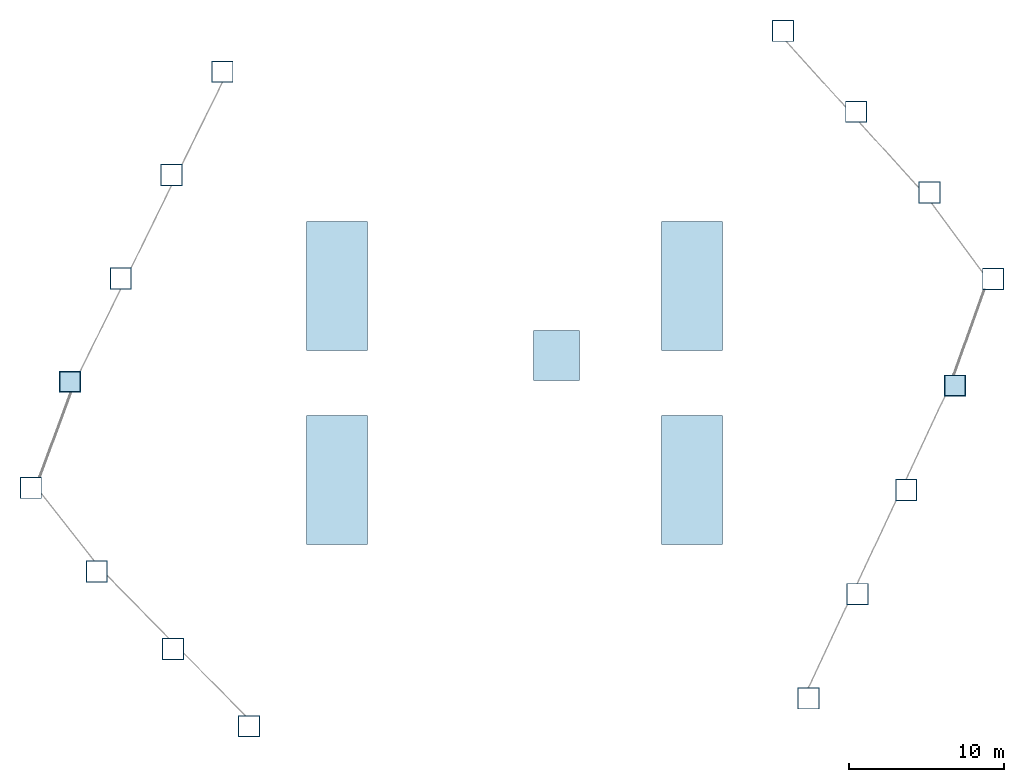
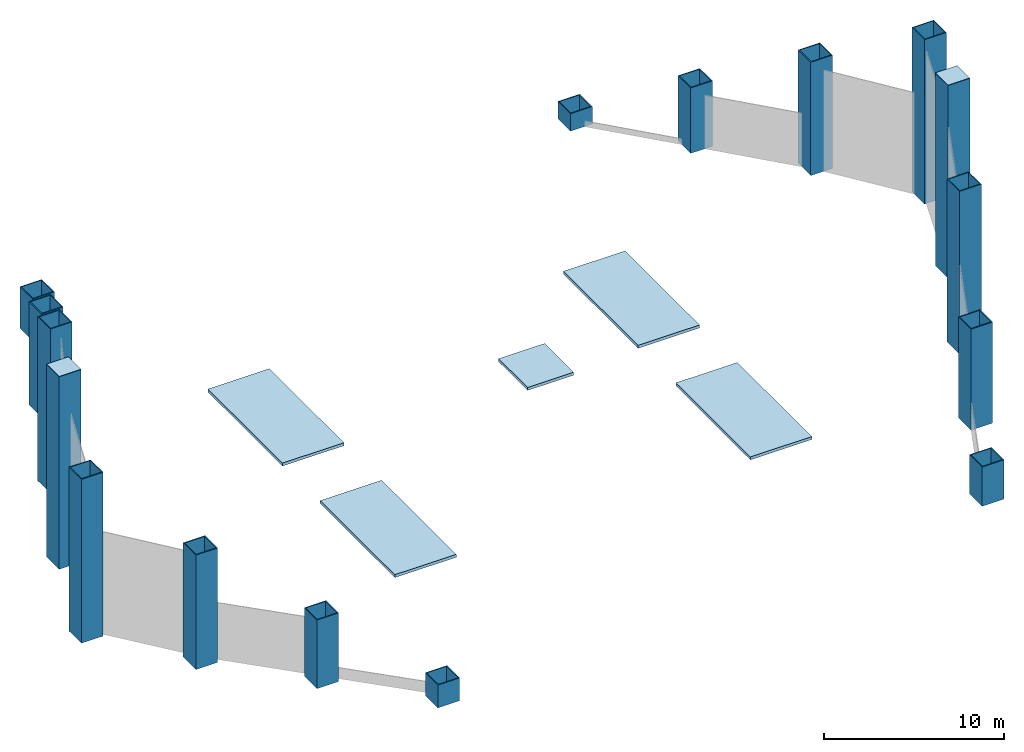
# One storey, part 1 of 2: 16 columns, 5 slabs, 2 plates.
"""IFC4 building model written with IfcOpenShell, lengths in metres."""

from ifc_helpers import new_model, si_unit, direction, frame, origin, origin_2d, place, context, subcontext, project, spatial, polyline, rectangle, hollow_rectangle, outline, extrude, material, layer, layer_set, material_profile, profile_set, type_object, element, save


model = new_model("IFC4")

# Units and contexts
model_context = context("Model", 3, precision=1e-05, world=origin(), true_north=direction((0.0, 1.0)))
body_context = subcontext(model_context, "Body", "Model", "MODEL_VIEW")
ifc_project = project(units=[si_unit("LENGTHUNIT", "METRE"), si_unit("AREAUNIT", "SQUARE_METRE"), si_unit("VOLUMEUNIT", "CUBIC_METRE"), si_unit("PLANEANGLEUNIT", "RADIAN"), si_unit("MASSUNIT", "GRAM", prefix="KILO")], contexts=[model_context])

# Site, building, storey
site_placement = place(None, origin())
site = spatial("IfcSite", under=ifc_project, at=site_placement, CompositionType="ELEMENT")
building_placement = place(site_placement, origin())
building = spatial("IfcBuilding", under=site, at=building_placement, Name="Dongbaek Canopy Tower", CompositionType="ELEMENT")
storey_placement = place(building_placement, frame((0.0, 0.0, 378.699951171875)))
storey = spatial("IfcBuildingStorey", under=building, at=storey_placement, Name="Upper roof", CompositionType="ELEMENT", Elevation=378.699951171875)

# Columns
ifc_material_1 = material(Name="Steel S355", Category="steel")
ifc_material_profile_1 = material_profile(ifc_material_1, hollow_rectangle(XDim=1.39990234375, YDim=1.39990234375, WallThickness=0.06005859375, at=origin_2d()), Name="COLUMN BOX 1400x1400x60 Steel S355")
ifc_profile_set_1 = profile_set([ifc_material_profile_1], Name="Steel S355")
column_type = type_object("IfcColumnType", Name="COLUMN BOX 1400x1400x60 Steel S355", PredefinedType="COLUMN", material=ifc_profile_set_1)
column_1_placement = place(storey_placement, frame((-31.12890625, -6.7451171875, 0.0), z_axis=(0.0, 0.0, 1.0), x_axis=(1.0, 0.0, 0.0)))
element("IfcColumn", 1, at=column_1_placement, inside=storey, type_object=column_type, Name="CANOPYCOL:CCN-09:Upper roof", PredefinedType="COLUMN", context=body_context, shape_type="SweptSolid", body=[
    extrude(hollow_rectangle(XDim=1.39990234375, YDim=1.39990234375, WallThickness=0.06005859375, at=origin_2d()), origin(), (0.0, 0.0, 1.0), 11.136962890625),
])
column_2_placement = place(storey_placement, frame((-26.888916015625, -12.134033203125, 0.0), z_axis=(0.0, 0.0, 1.0), x_axis=(1.0, 0.0, 0.0)))
element("IfcColumn", 2, at=column_2_placement, inside=storey, type_object=column_type, Name="CANOPYCOL:CCN-08:Upper roof", PredefinedType="COLUMN", context=body_context, shape_type="SweptSolid", body=[
    extrude(hollow_rectangle(XDim=1.39990234375, YDim=1.39990234375, WallThickness=0.06005859375, at=origin_2d()), origin(), (0.0, 0.0, 1.0), 7.76953125),
])
column_3_placement = place(storey_placement, frame((-21.986083984375, -17.112060546875, 0.0), z_axis=(0.0, 0.0, 1.0), x_axis=(1.0, 0.0, 0.0)))
element("IfcColumn", 3, at=column_3_placement, inside=storey, type_object=column_type, Name="CANOPYCOL:CCN-07:Upper roof", PredefinedType="COLUMN", context=body_context, shape_type="SweptSolid", body=[
    extrude(hollow_rectangle(XDim=1.39990234375, YDim=1.39990234375, WallThickness=0.06005859375, at=origin_2d()), origin(), (0.0, 0.0, 1.0), 4.658935546875),
])
column_4_placement = place(storey_placement, frame((-17.083984375, -22.089111328125, 0.0), z_axis=(0.0, 0.0, 1.0), x_axis=(1.0, 0.0, 0.0)))
element("IfcColumn", 4, at=column_4_placement, inside=storey, type_object=column_type, Name="CANOPYCOL:CCN-06:Upper roof", PredefinedType="COLUMN", context=body_context, shape_type="SweptSolid", body=[
    extrude(hollow_rectangle(XDim=1.39990234375, YDim=1.39990234375, WallThickness=0.06005859375, at=origin_2d()), origin(), (0.0, 0.0, 1.0), 1.549072265625),
])
column_5_placement = place(storey_placement, frame((18.925048828125, -20.2958984375, 0.0), z_axis=(0.0, 0.0, 1.0), x_axis=(1.0, 0.0, 0.0)))
element("IfcColumn", 5, at=column_5_placement, inside=storey, type_object=column_type, Name="CANOPYCOL:CCN-26:Upper roof", PredefinedType="COLUMN", context=body_context, shape_type="SweptSolid", body=[
    extrude(hollow_rectangle(XDim=1.39990234375, YDim=1.39990234375, WallThickness=0.06005859375, at=origin_2d()), origin(), (0.0, 0.0, 1.0), 2.66943359375),
])
column_6_placement = place(storey_placement, frame((22.068115234375, -13.587890625, 0.0), z_axis=(0.0, 0.0, 1.0), x_axis=(1.0, 0.0, 0.0)))
element("IfcColumn", 6, at=column_6_placement, inside=storey, type_object=column_type, Name="CANOPYCOL:CCN-25:Upper roof", PredefinedType="COLUMN", context=body_context, shape_type="SweptSolid", body=[
    extrude(hollow_rectangle(XDim=1.39990234375, YDim=1.39990234375, WallThickness=0.06005859375, at=origin_2d()), origin(), (0.0, 0.0, 1.0), 6.861083984375),
])
column_7_placement = place(storey_placement, frame((25.2099609375, -6.87890625, 0.0), z_axis=(0.0, 0.0, 1.0), x_axis=(1.0, 0.0, 0.0)))
element("IfcColumn", 7, at=column_7_placement, inside=storey, type_object=column_type, Name="CANOPYCOL:CCN-24:Upper roof", PredefinedType="COLUMN", context=body_context, shape_type="SweptSolid", body=[
    extrude(hollow_rectangle(XDim=1.39990234375, YDim=1.39990234375, WallThickness=0.06005859375, at=origin_2d()), origin(), (0.0, 0.0, 1.0), 11.053466796875),
])
column_8_placement = place(storey_placement, frame((28.35107421875, -0.169921875, 0.0), z_axis=(0.0, 0.0, 1.0), x_axis=(1.0, 0.0, 0.0)))
element("IfcColumn", 8, at=column_8_placement, inside=storey, type_object=column_type, Name="CANOPYCOL:CCN-23:Upper roof", PredefinedType="COLUMN", context=body_context, shape_type="SweptSolid", body=[
    extrude(hollow_rectangle(XDim=1.39990234375, YDim=1.39990234375, WallThickness=0.06005859375, at=origin_2d()), origin(), (0.0, 0.0, 1.0), 13.076904296875),
])
column_9_placement = place(storey_placement, frame((30.804931640625, 6.697998046875, 0.0), z_axis=(0.0, 0.0, 1.0), x_axis=(1.0, 0.0, 0.0)))
element("IfcColumn", 9, at=column_9_placement, inside=storey, type_object=column_type, Name="CANOPYCOL:CCN-22:Upper roof", PredefinedType="COLUMN", context=body_context, shape_type="SweptSolid", body=[
    extrude(hollow_rectangle(XDim=1.39990234375, YDim=1.39990234375, WallThickness=0.06005859375, at=origin_2d()), origin(), (0.0, 0.0, 1.0), 11.16650390625),
])
column_10_placement = place(storey_placement, frame((26.702880859375, 12.257080078125, 0.0), z_axis=(0.0, 0.0, 1.0), x_axis=(1.0, 0.0, 0.0)))
element("IfcColumn", 10, at=column_10_placement, inside=storey, type_object=column_type, Name="CANOPYCOL:CCN-21:Upper roof", PredefinedType="COLUMN", context=body_context, shape_type="SweptSolid", body=[
    extrude(hollow_rectangle(XDim=1.39990234375, YDim=1.39990234375, WallThickness=0.06005859375, at=origin_2d()), origin(), (0.0, 0.0, 1.0), 7.692626953125),
])
column_11_placement = place(storey_placement, frame((21.989990234375, 17.4619140625, 0.0), z_axis=(0.0, 0.0, 1.0), x_axis=(1.0, 0.0, 0.0)))
element("IfcColumn", 11, at=column_11_placement, inside=storey, type_object=column_type, Name="CANOPYCOL:CCN-20:Upper roof", PredefinedType="COLUMN", context=body_context, shape_type="SweptSolid", body=[
    extrude(hollow_rectangle(XDim=1.39990234375, YDim=1.39990234375, WallThickness=0.06005859375, at=origin_2d()), origin(), (0.0, 0.0, 1.0), 4.4404296875),
])
column_12_placement = place(storey_placement, frame((17.27587890625, 22.666015625, 0.0), z_axis=(0.0, 0.0, 1.0), x_axis=(1.0, 0.0, 0.0)))
element("IfcColumn", 12, at=column_12_placement, inside=storey, type_object=column_type, Name="CANOPYCOL:CCN-19:Upper roof", PredefinedType="COLUMN", context=body_context, shape_type="SweptSolid", body=[
    extrude(hollow_rectangle(XDim=1.39990234375, YDim=1.39990234375, WallThickness=0.06005859375, at=origin_2d()), origin(), (0.0, 0.0, 1.0), 1.1884765625),
])
column_13_placement = place(storey_placement, frame((-18.805908203125, 20.031982421875, 0.0), z_axis=(0.0, 0.0, 1.0), x_axis=(1.0, 0.0, 0.0)))
element("IfcColumn", 13, at=column_13_placement, inside=storey, type_object=column_type, Name="CANOPYCOL:CCN-13:Upper roof", PredefinedType="COLUMN", context=body_context, shape_type="SweptSolid", body=[
    extrude(hollow_rectangle(XDim=1.39990234375, YDim=1.39990234375, WallThickness=0.06005859375, at=origin_2d()), origin(), (0.0, 0.0, 1.0), 2.83447265625),
])
column_14_placement = place(storey_placement, frame((-22.075927734375, 13.384033203125, 0.0), z_axis=(0.0, 0.0, 1.0), x_axis=(1.0, 0.0, 0.0)))
element("IfcColumn", 14, at=column_14_placement, inside=storey, type_object=column_type, Name="CANOPYCOL:CCN-12:Upper roof", PredefinedType="COLUMN", context=body_context, shape_type="SweptSolid", body=[
    extrude(hollow_rectangle(XDim=1.39990234375, YDim=1.39990234375, WallThickness=0.06005859375, at=origin_2d()), origin(), (0.0, 0.0, 1.0), 6.988525390625),
])
column_15_placement = place(storey_placement, frame((-25.346923828125, 6.735107421875, 0.0), z_axis=(0.0, 0.0, 1.0), x_axis=(1.0, 0.0, 0.0)))
element("IfcColumn", 15, at=column_15_placement, inside=storey, type_object=column_type, Name="CANOPYCOL:CCN-11:Upper roof", PredefinedType="COLUMN", context=body_context, shape_type="SweptSolid", body=[
    extrude(hollow_rectangle(XDim=1.39990234375, YDim=1.39990234375, WallThickness=0.06005859375, at=origin_2d()), origin(), (0.0, 0.0, 1.0), 11.143310546875),
])
column_16_placement = place(storey_placement, frame((-28.616943359375, 0.0859375, 0.0), z_axis=(0.0, 0.0, 1.0), x_axis=(1.0, 0.0, 0.0)))
element("IfcColumn", 16, at=column_16_placement, inside=storey, type_object=column_type, Name="CANOPYCOL:CCN-10:Upper roof", PredefinedType="COLUMN", context=body_context, shape_type="SweptSolid", body=[
    extrude(hollow_rectangle(XDim=1.39990234375, YDim=1.39990234375, WallThickness=0.06005859375, at=origin_2d()), origin(), (0.0, 0.0, 1.0), 13.076904296875),
])

# Slabs
ifc_material_2 = material(Name="Concrete C40/50", Category="concrete")
ifc_layer = layer(ifc_material_2, 0.199951171875)
ifc_layer_set = layer_set([ifc_layer], Name="Head-house roof slab 200 Concrete C40/50")
slab_type = type_object("IfcSlabType", Name="Head-house roof slab 200 Concrete C40/50", PredefinedType="ROOF", material=ifc_layer_set)
slab_1_placement = place(storey_placement, frame((0.0, 0.0, -0.199951171875)))
element("IfcSlab", 17, at=slab_1_placement, inside=storey, type_object=slab_type, Name="Stair A head-house roof", PredefinedType="ROOF", context=body_context, shape_type="SweptSolid", body=[
    extrude(outline(polyline([(13.39990234375, 2.10009765625), (13.39990234375, 10.39990234375), (9.449951171875, 10.39990234375), (9.449951171875, 2.10009765625), (13.39990234375, 2.10009765625)])), origin(), (0.0, 0.0, 1.0), 0.199951171875),
])
slab_2_placement = place(storey_placement, frame((0.0, 0.0, -0.199951171875)))
element("IfcSlab", 18, at=slab_2_placement, inside=storey, type_object=slab_type, Name="Stair C head-house roof", PredefinedType="ROOF", context=body_context, shape_type="SweptSolid", body=[
    extrude(outline(polyline([(-9.449951171875, 2.10009765625), (-9.449951171875, 10.39990234375), (-13.39990234375, 10.39990234375), (-13.39990234375, 2.10009765625), (-9.449951171875, 2.10009765625)])), origin(), (0.0, 0.0, 1.0), 0.199951171875),
])
slab_3_placement = place(storey_placement, frame((0.0, 0.0, -0.199951171875)))
element("IfcSlab", 19, at=slab_3_placement, inside=storey, type_object=slab_type, Name="Stair B head-house roof", PredefinedType="ROOF", context=body_context, shape_type="SweptSolid", body=[
    extrude(outline(polyline([(13.39990234375, -10.39990234375), (13.39990234375, -2.10009765625), (9.449951171875, -2.10009765625), (9.449951171875, -10.39990234375), (13.39990234375, -10.39990234375)])), origin(), (0.0, 0.0, 1.0), 0.199951171875),
])
slab_4_placement = place(storey_placement, frame((0.0, 0.0, -0.199951171875)))
element("IfcSlab", 20, at=slab_4_placement, inside=storey, type_object=slab_type, Name="Stair D head-house roof", PredefinedType="ROOF", context=body_context, shape_type="SweptSolid", body=[
    extrude(outline(polyline([(-9.449951171875, -10.39990234375), (-9.449951171875, -2.10009765625), (-13.39990234375, -2.10009765625), (-13.39990234375, -10.39990234375), (-9.449951171875, -10.39990234375)])), origin(), (0.0, 0.0, 1.0), 0.199951171875),
])
slab_5_placement = place(storey_placement, frame((0.0, 0.0, 1.0)))
element("IfcSlab", 21, at=slab_5_placement, inside=storey, type_object=slab_type, Name="Lift SV1 penthouse roof", PredefinedType="ROOF", context=body_context, shape_type="SweptSolid", body=[
    extrude(outline(polyline([(4.175048828125, 0.14990234375), (4.175048828125, 3.375), (1.22509765625, 3.375), (1.22509765625, 0.14990234375), (4.175048828125, 0.14990234375)])), origin(), (0.0, 0.0, 1.0), 0.199951171875),
])

# Plates
ifc_material_3 = material(Name="Steel S355", Category="steel")
ifc_material_profile_2 = material_profile(ifc_material_3, rectangle(XDim=1.39990234375, YDim=1.39990234375, at=origin_2d()), Name="Post cap 1400 x 1400 x 25")
ifc_profile_set_2 = profile_set([ifc_material_profile_2], Name="Steel S355")
plate_type = type_object("IfcPlateType", Name="Post cap 1400 x 1400 x 25", PredefinedType="SHEET", material=ifc_profile_set_2)
for number, where, z_axis, x_axis, name in (
    (22, (28.35107421875, -0.169921875, 13.076904296875), (0.0, 0.0, 1.0), (1.0, 0.0, 0.0), "Post CCN-23 end plate"),
    (23, (-28.616943359375, 0.0859375, 13.076904296875), (0.0, 0.0, 1.0), (1.0, 0.0, 0.0), "Post CCN-10 end plate"),
):
    element("IfcPlate", number, at=place(storey_placement, frame(where, z_axis=z_axis, x_axis=x_axis)), inside=storey, type_object=plate_type, Name=name, PredefinedType="SHEET", context=body_context, shape_type="SweptSolid", body=[
        extrude(rectangle(XDim=1.39990234375, YDim=1.39990234375, at=origin_2d()), origin(), (0.0, 0.0, 1.0), 0.02490234375),
    ])

save(model, "model.ifc")
